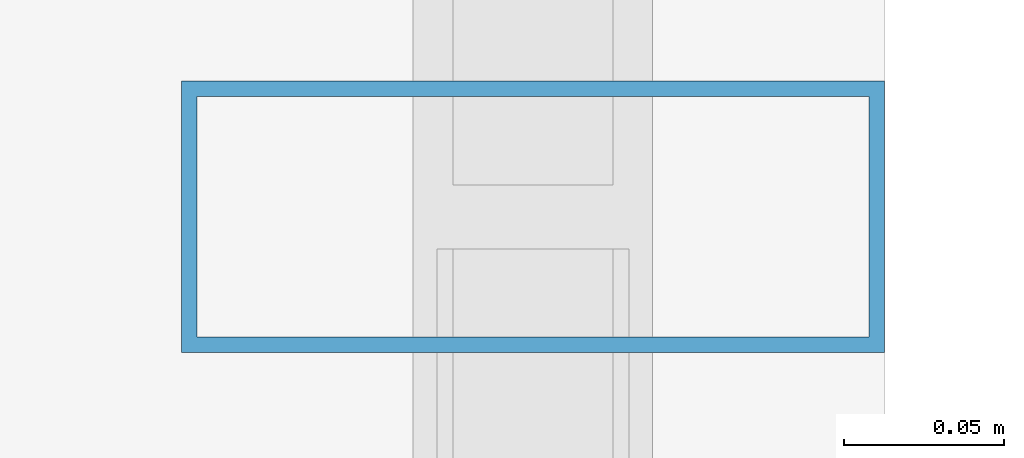
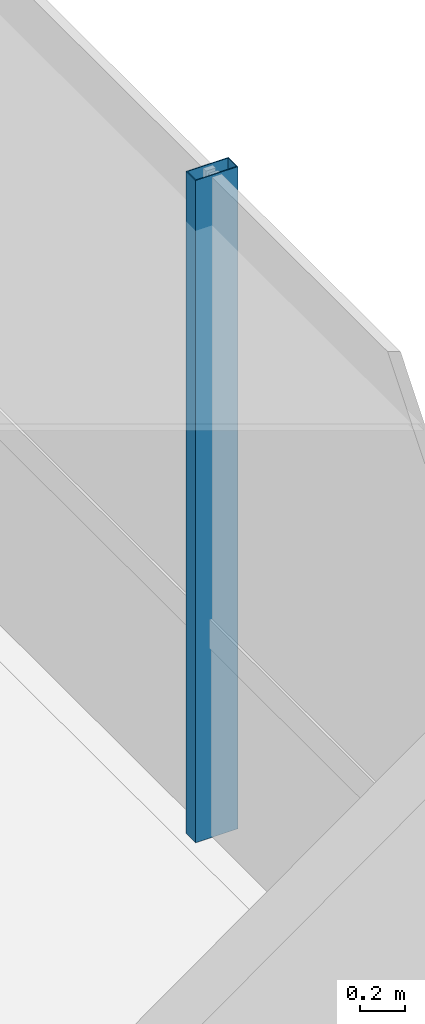
# One storey, part 15 of 39: 1 member, 1 element without a shape of its own.
"""IFC4 building model written with IfcOpenShell, lengths in metres."""

from ifc_helpers import new_model, si_unit, direction, frame, origin, origin_2d, place, context, subcontext, project, spatial, hollow_rectangle, extrude, source, transform, mapped, material, material_profile, profile_set, type_object, element, aggregate, save


model = new_model("IFC4")

# Units and contexts
model_context = context("Model", 3, precision=1e-05, world=origin(), true_north=direction((0.0, 1.0)))
body_context = subcontext(model_context, "Body", "Model", "MODEL_VIEW")
ifc_project = project(units=[si_unit("LENGTHUNIT", "METRE"), si_unit("AREAUNIT", "SQUARE_METRE"), si_unit("VOLUMEUNIT", "CUBIC_METRE"), si_unit("PLANEANGLEUNIT", "RADIAN"), si_unit("MASSUNIT", "GRAM", prefix="KILO")], contexts=[model_context])

# Site, building, storey
site_placement = place(None, origin())
site = spatial("IfcSite", under=ifc_project, at=site_placement, CompositionType="ELEMENT")
building_placement = place(site_placement, origin())
building = spatial("IfcBuilding", under=site, at=building_placement, Name="Valdorenza Pilgrim Sanctuary Tower", CompositionType="ELEMENT")
storey_placement = place(building_placement, frame((0.0, 0.0, 184.449951171875)))
storey = spatial("IfcBuildingStorey", under=building, at=storey_placement, Name="L47", CompositionType="ELEMENT", Elevation=184.449951171875)

# Curtain wall, member
ifc_material_1 = material(Name="Curtain-wall IGU glazing", Category="glass")
curtain_wall_type = type_object("IfcCurtainWallType", Name="CW-SYS-03", PredefinedType="NOTDEFINED", material=ifc_material_1)
curtain_wall_placement = place(storey_placement, origin())
curtain_wall = element("IfcCurtainWall", 1, at=curtain_wall_placement, inside=storey, type_object=curtain_wall_type, Name="L47 Curtain Wall CW-L47-1-37", PredefinedType="NOTDEFINED")
ifc_material_2 = material(Name="Anodised aluminium AW-6060", Category="aluminium")
ifc_material_profile = material_profile(ifc_material_2, hollow_rectangle(XDim=0.0849609375, YDim=0.219970703125, WallThickness=0.0048828125, at=origin_2d()), Name="ALU-M 220x85x5")
ifc_profile_set = profile_set([ifc_material_profile], Name="Anodised aluminium AW-6060")
member_type = type_object("IfcMemberType", Name="CW-MUL-03", PredefinedType="MULLION", material=ifc_profile_set)
shared_shape = source(origin(), body_context, "Body", "SweptSolid", [
    extrude(hollow_rectangle(XDim=0.0849609375, YDim=0.219970703125, WallThickness=0.0048828125, at=origin_2d()), origin(), (0.0, 0.0, 1.0), 3.630126953125),
])
member_placement = place(storey_placement, frame((29.68994140625, 1.589599609375, 0.0), z_axis=(0.0, 0.0, 1.0), x_axis=(0.0, -1.0, 0.0)))
member = element("IfcMember", 2, at=member_placement, type_object=member_type, Name="CW-L47-1-37 Mullion 3", PredefinedType="MULLION", context=body_context, shape_type="MappedRepresentation", body=[
    mapped(shared_shape, transform((0.0, 0.0, 0.0), x_axis=(1.0, 0.0, 0.0), y_axis=(0.0, 1.0, 0.0), z_axis=(0.0, 0.0, 1.0), scale=1.0)),
])
aggregate(curtain_wall, [member])

save(model, "model.ifc")
